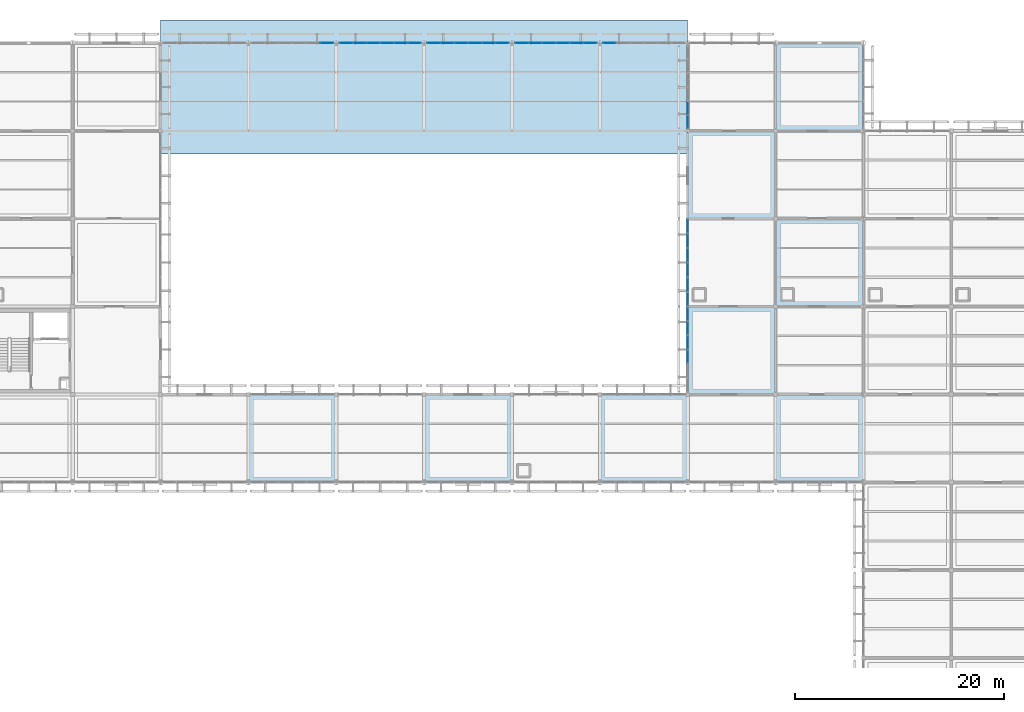
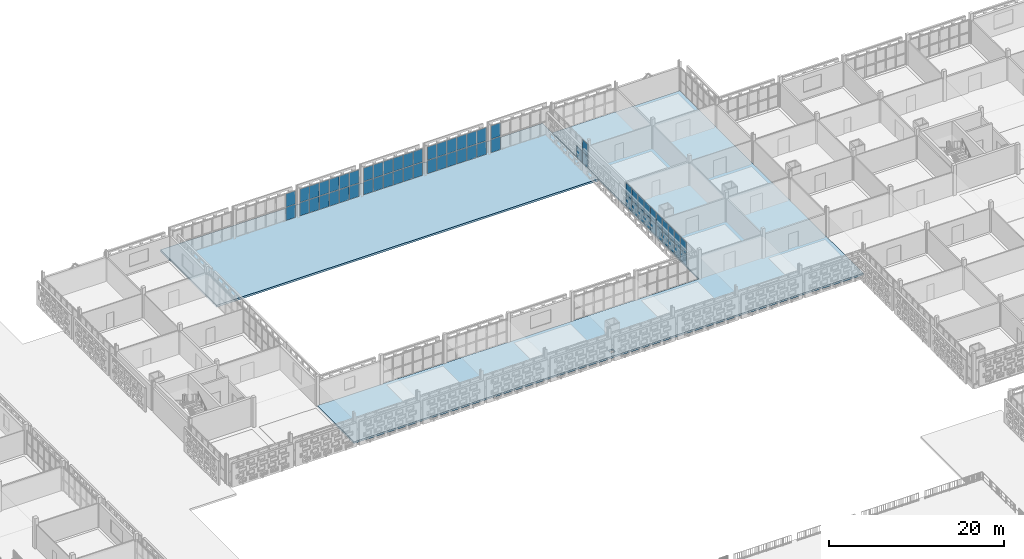
# One storey, part 87 of 166: 63 plates, 2 slabs, 8 elements without a shape of their own.
"""IFC4 building model written with IfcOpenShell, lengths in metres."""

from ifc_helpers import new_model, si_unit, direction, frame, origin, origin_2d, place, context, subcontext, project, spatial, polyline, rectangle, outline, extrude, material, layer, layer_set, type_object, element, aggregate, save


model = new_model("IFC4")

# Units and contexts
model_context = context("Model", 3, precision=1e-05, world=origin(), true_north=direction((0.0, 1.0)))
body_context = subcontext(model_context, "Body", "Model", "MODEL_VIEW")
ifc_project = project(units=[si_unit("LENGTHUNIT", "METRE"), si_unit("AREAUNIT", "SQUARE_METRE"), si_unit("VOLUMEUNIT", "CUBIC_METRE"), si_unit("PLANEANGLEUNIT", "RADIAN"), si_unit("MASSUNIT", "GRAM", prefix="KILO")], contexts=[model_context])

# Site, building, storey
site_placement = place(None, origin())
site = spatial("IfcSite", under=ifc_project, at=site_placement, CompositionType="ELEMENT")
building_placement = place(site_placement, origin())
building = spatial("IfcBuilding", under=site, at=building_placement, Name="Varnapada Polytechnic", CompositionType="ELEMENT")
storey_placement = place(building_placement, frame((0.0, 0.0, 9.60009765625)))
storey = spatial("IfcBuildingStorey", under=building, at=storey_placement, Name="L02", CompositionType="ELEMENT", Elevation=9.60009765625)

# Curtain wall, plates
ifc_material_1 = material(Name="Double low-E laminated glass", Category="glass")
ifc_layer_1 = layer(ifc_material_1, 0.159912109375)
ifc_layer_set_1 = layer_set([ifc_layer_1], Name="Double low-E laminated glass")
curtain_wall_type = type_object("IfcCurtainWallType", Name="Curtain Wall CW-02", PredefinedType="NOTDEFINED", material=ifc_layer_set_1)
curtain_wall_1_placement = place(storey_placement, origin())
curtain_wall_1 = element("IfcCurtainWall", 1, at=curtain_wall_1_placement, inside=storey, type_object=curtain_wall_type, Name="L02 unitised curtain wall CW-02 (176)", PredefinedType="NOTDEFINED")
ifc_layer_2 = layer(ifc_material_1, 0.028076171875)
ifc_layer_set_2 = layer_set([ifc_layer_2], Name="Double low-E laminated glass")
plate_type = type_object("IfcPlateType", Name="Curtain Panel PNL-01", PredefinedType="CURTAIN_PANEL", material=ifc_layer_set_2)
plate_1_placement = place(storey_placement, frame((117.60009765625, 96.0107421875, 0.06005859375), z_axis=(0.0, 0.0, 1.0), x_axis=(0.0, 1.0, 0.0)))
plate_1 = element("IfcPlate", 2, at=plate_1_placement, type_object=plate_type, Name="CW-02 panel 3.1", PredefinedType="CURTAIN_PANEL", context=body_context, shape_type="SweptSolid", body=[
    extrude(rectangle(XDim=1.308349609375, YDim=0.028076171875, at=origin_2d()), origin(), (0.0, 0.0, 1.0), 1.522705078125),
])
plate_2_placement = place(storey_placement, frame((117.60009765625, 96.0107421875, 1.642578125), z_axis=(0.0, 0.0, 1.0), x_axis=(0.0, 1.0, 0.0)))
plate_2 = element("IfcPlate", 3, at=plate_2_placement, type_object=plate_type, Name="CW-02 panel 3.2", PredefinedType="CURTAIN_PANEL", context=body_context, shape_type="SweptSolid", body=[
    extrude(rectangle(XDim=1.308349609375, YDim=0.028076171875, at=origin_2d()), origin(), (0.0, 0.0, 1.0), 1.6572265625),
])
plate_3_placement = place(storey_placement, frame((117.60009765625, 97.379150390625, 0.06005859375), z_axis=(0.0, 0.0, 1.0), x_axis=(0.0, 1.0, 0.0)))
plate_3 = element("IfcPlate", 4, at=plate_3_placement, type_object=plate_type, Name="CW-02 panel 4.1", PredefinedType="CURTAIN_PANEL", context=body_context, shape_type="SweptSolid", body=[
    extrude(rectangle(XDim=1.308349609375, YDim=0.028076171875, at=origin_2d()), origin(), (0.0, 0.0, 1.0), 1.522705078125),
])
plate_4_placement = place(storey_placement, frame((117.60009765625, 97.379150390625, 1.642578125), z_axis=(0.0, 0.0, 1.0), x_axis=(0.0, 1.0, 0.0)))
plate_4 = element("IfcPlate", 5, at=plate_4_placement, type_object=plate_type, Name="CW-02 panel 4.2", PredefinedType="CURTAIN_PANEL", context=body_context, shape_type="SweptSolid", body=[
    extrude(rectangle(XDim=1.308349609375, YDim=0.028076171875, at=origin_2d()), origin(), (0.0, 0.0, 1.0), 1.6572265625),
])
plate_5_placement = place(storey_placement, frame((117.60009765625, 98.74755859375, 0.06005859375), z_axis=(0.0, 0.0, 1.0), x_axis=(0.0, 1.0, 0.0)))
plate_5 = element("IfcPlate", 6, at=plate_5_placement, type_object=plate_type, Name="CW-02 panel 5.1", PredefinedType="CURTAIN_PANEL", context=body_context, shape_type="SweptSolid", body=[
    extrude(rectangle(XDim=1.308349609375, YDim=0.028076171875, at=origin_2d()), origin(), (0.0, 0.0, 1.0), 1.522705078125),
])
plate_6_placement = place(storey_placement, frame((117.60009765625, 98.74755859375, 1.642578125), z_axis=(0.0, 0.0, 1.0), x_axis=(0.0, 1.0, 0.0)))
plate_6 = element("IfcPlate", 7, at=plate_6_placement, type_object=plate_type, Name="CW-02 panel 5.2", PredefinedType="CURTAIN_PANEL", context=body_context, shape_type="SweptSolid", body=[
    extrude(rectangle(XDim=1.308349609375, YDim=0.028076171875, at=origin_2d()), origin(), (0.0, 0.0, 1.0), 1.6572265625),
])
plate_7_placement = place(storey_placement, frame((117.60009765625, 100.100830078125, 0.06005859375), z_axis=(0.0, 0.0, 1.0), x_axis=(0.0, 1.0, 0.0)))
plate_7 = element("IfcPlate", 8, at=plate_7_placement, type_object=plate_type, Name="CW-02 panel 6.1", PredefinedType="CURTAIN_PANEL", context=body_context, shape_type="SweptSolid", body=[
    extrude(rectangle(XDim=1.2783203125, YDim=0.028076171875, at=origin_2d()), origin(), (0.0, 0.0, 1.0), 1.522705078125),
])
plate_8_placement = place(storey_placement, frame((117.60009765625, 100.100830078125, 1.642578125), z_axis=(0.0, 0.0, 1.0), x_axis=(0.0, 1.0, 0.0)))
plate_8 = element("IfcPlate", 9, at=plate_8_placement, type_object=plate_type, Name="CW-02 panel 6.2", PredefinedType="CURTAIN_PANEL", context=body_context, shape_type="SweptSolid", body=[
    extrude(rectangle(XDim=1.2783203125, YDim=0.028076171875, at=origin_2d()), origin(), (0.0, 0.0, 1.0), 1.6572265625),
])
aggregate(curtain_wall_1, [plate_1, plate_2, plate_3, plate_4, plate_5, plate_6, plate_7, plate_8])

curtain_wall_2_placement = place(storey_placement, origin())
curtain_wall_2 = element("IfcCurtainWall", 10, at=curtain_wall_2_placement, inside=storey, type_object=curtain_wall_type, Name="L02 unitised curtain wall CW-02 (177)", PredefinedType="NOTDEFINED")
plate_9_placement = place(storey_placement, frame((117.60009765625, 101.514892578125, 0.06005859375), z_axis=(0.0, 0.0, 1.0), x_axis=(0.0, 1.0, 0.0)))
plate_9 = element("IfcPlate", 11, at=plate_9_placement, type_object=plate_type, Name="CW-02 panel 1.1", PredefinedType="CURTAIN_PANEL", context=body_context, shape_type="SweptSolid", body=[
    extrude(rectangle(XDim=1.31005859375, YDim=0.028076171875, at=origin_2d()), origin(), (0.0, 0.0, 1.0), 1.522705078125),
])
plate_10_placement = place(storey_placement, frame((117.60009765625, 101.514892578125, 1.642578125), z_axis=(0.0, 0.0, 1.0), x_axis=(0.0, 1.0, 0.0)))
plate_10 = element("IfcPlate", 12, at=plate_10_placement, type_object=plate_type, Name="CW-02 panel 1.2", PredefinedType="CURTAIN_PANEL", context=body_context, shape_type="SweptSolid", body=[
    extrude(rectangle(XDim=1.31005859375, YDim=0.028076171875, at=origin_2d()), origin(), (0.0, 0.0, 1.0), 1.6572265625),
])
plate_11_placement = place(storey_placement, frame((117.60009765625, 102.89990234375, 0.06005859375), z_axis=(0.0, 0.0, 1.0), x_axis=(0.0, 1.0, 0.0)))
plate_11 = element("IfcPlate", 13, at=plate_11_placement, type_object=plate_type, Name="CW-02 panel 2.1", PredefinedType="CURTAIN_PANEL", context=body_context, shape_type="SweptSolid", body=[
    extrude(rectangle(XDim=1.340087890625, YDim=0.028076171875, at=origin_2d()), origin(), (0.0, 0.0, 1.0), 1.522705078125),
])
plate_12_placement = place(storey_placement, frame((117.60009765625, 102.89990234375, 1.642578125), z_axis=(0.0, 0.0, 1.0), x_axis=(0.0, 1.0, 0.0)))
plate_12 = element("IfcPlate", 14, at=plate_12_placement, type_object=plate_type, Name="CW-02 panel 2.2", PredefinedType="CURTAIN_PANEL", context=body_context, shape_type="SweptSolid", body=[
    extrude(rectangle(XDim=1.340087890625, YDim=0.028076171875, at=origin_2d()), origin(), (0.0, 0.0, 1.0), 1.6572265625),
])
plate_13_placement = place(storey_placement, frame((117.60009765625, 104.300048828125, 0.06005859375), z_axis=(0.0, 0.0, 1.0), x_axis=(0.0, 1.0, 0.0)))
plate_13 = element("IfcPlate", 15, at=plate_13_placement, type_object=plate_type, Name="CW-02 panel 3.1", PredefinedType="CURTAIN_PANEL", context=body_context, shape_type="SweptSolid", body=[
    extrude(rectangle(XDim=1.340087890625, YDim=0.028076171875, at=origin_2d()), origin(), (0.0, 0.0, 1.0), 1.522705078125),
])
plate_14_placement = place(storey_placement, frame((117.60009765625, 104.300048828125, 1.642578125), z_axis=(0.0, 0.0, 1.0), x_axis=(0.0, 1.0, 0.0)))
plate_14 = element("IfcPlate", 16, at=plate_14_placement, type_object=plate_type, Name="CW-02 panel 3.2", PredefinedType="CURTAIN_PANEL", context=body_context, shape_type="SweptSolid", body=[
    extrude(rectangle(XDim=1.340087890625, YDim=0.028076171875, at=origin_2d()), origin(), (0.0, 0.0, 1.0), 1.6572265625),
])
plate_15_placement = place(storey_placement, frame((117.60009765625, 105.699951171875, 0.06005859375), z_axis=(0.0, 0.0, 1.0), x_axis=(0.0, 1.0, 0.0)))
plate_15 = element("IfcPlate", 17, at=plate_15_placement, type_object=plate_type, Name="CW-02 panel 4.1", PredefinedType="CURTAIN_PANEL", context=body_context, shape_type="SweptSolid", body=[
    extrude(rectangle(XDim=1.340087890625, YDim=0.028076171875, at=origin_2d()), origin(), (0.0, 0.0, 1.0), 1.522705078125),
])
plate_16_placement = place(storey_placement, frame((117.60009765625, 105.699951171875, 1.642578125), z_axis=(0.0, 0.0, 1.0), x_axis=(0.0, 1.0, 0.0)))
plate_16 = element("IfcPlate", 18, at=plate_16_placement, type_object=plate_type, Name="CW-02 panel 4.2", PredefinedType="CURTAIN_PANEL", context=body_context, shape_type="SweptSolid", body=[
    extrude(rectangle(XDim=1.340087890625, YDim=0.028076171875, at=origin_2d()), origin(), (0.0, 0.0, 1.0), 1.6572265625),
])
plate_17_placement = place(storey_placement, frame((117.60009765625, 107.10009765625, 0.06005859375), z_axis=(0.0, 0.0, 1.0), x_axis=(0.0, 1.0, 0.0)))
plate_17 = element("IfcPlate", 19, at=plate_17_placement, type_object=plate_type, Name="CW-02 panel 5.1", PredefinedType="CURTAIN_PANEL", context=body_context, shape_type="SweptSolid", body=[
    extrude(rectangle(XDim=1.340087890625, YDim=0.028076171875, at=origin_2d()), origin(), (0.0, 0.0, 1.0), 1.522705078125),
])
plate_18_placement = place(storey_placement, frame((117.60009765625, 107.10009765625, 1.642578125), z_axis=(0.0, 0.0, 1.0), x_axis=(0.0, 1.0, 0.0)))
plate_18 = element("IfcPlate", 20, at=plate_18_placement, type_object=plate_type, Name="CW-02 panel 5.2", PredefinedType="CURTAIN_PANEL", context=body_context, shape_type="SweptSolid", body=[
    extrude(rectangle(XDim=1.340087890625, YDim=0.028076171875, at=origin_2d()), origin(), (0.0, 0.0, 1.0), 1.6572265625),
])
plate_19_placement = place(storey_placement, frame((117.60009765625, 108.485107421875, 0.06005859375), z_axis=(0.0, 0.0, 1.0), x_axis=(0.0, 1.0, 0.0)))
plate_19 = element("IfcPlate", 21, at=plate_19_placement, type_object=plate_type, Name="CW-02 panel 6.1", PredefinedType="CURTAIN_PANEL", context=body_context, shape_type="SweptSolid", body=[
    extrude(rectangle(XDim=1.31005859375, YDim=0.028076171875, at=origin_2d()), origin(), (0.0, 0.0, 1.0), 1.522705078125),
])
plate_20_placement = place(storey_placement, frame((117.60009765625, 108.485107421875, 1.642578125), z_axis=(0.0, 0.0, 1.0), x_axis=(0.0, 1.0, 0.0)))
plate_20 = element("IfcPlate", 22, at=plate_20_placement, type_object=plate_type, Name="CW-02 panel 6.2", PredefinedType="CURTAIN_PANEL", context=body_context, shape_type="SweptSolid", body=[
    extrude(rectangle(XDim=1.31005859375, YDim=0.028076171875, at=origin_2d()), origin(), (0.0, 0.0, 1.0), 1.6572265625),
])
aggregate(curtain_wall_2, [plate_9, plate_10, plate_11, plate_12, plate_13, plate_14, plate_15, plate_16, plate_17, plate_18, plate_19, plate_20])

curtain_wall_3_placement = place(storey_placement, origin())
curtain_wall_3 = element("IfcCurtainWall", 23, at=curtain_wall_3_placement, inside=storey, type_object=curtain_wall_type, Name="L02 unitised curtain wall CW-02 (179)", PredefinedType="NOTDEFINED")
plate_21_placement = place(storey_placement, frame((117.60009765625, 118.461181640625, 0.06005859375), z_axis=(0.0, 0.0, 1.0), x_axis=(0.0, 1.0, 0.0)))
plate_21 = element("IfcPlate", 24, at=plate_21_placement, type_object=plate_type, Name="CW-02 panel 1.1", PredefinedType="CURTAIN_PANEL", context=body_context, shape_type="SweptSolid", body=[
    extrude(rectangle(XDim=1.242431640625, YDim=0.028076171875, at=origin_2d()), origin(), (0.0, 0.0, 1.0), 1.522705078125),
])
plate_22_placement = place(storey_placement, frame((117.60009765625, 118.461181640625, 1.642578125), z_axis=(0.0, 0.0, 1.0), x_axis=(0.0, 1.0, 0.0)))
plate_22 = element("IfcPlate", 25, at=plate_22_placement, type_object=plate_type, Name="CW-02 panel 1.2", PredefinedType="CURTAIN_PANEL", context=body_context, shape_type="SweptSolid", body=[
    extrude(rectangle(XDim=1.242431640625, YDim=0.028076171875, at=origin_2d()), origin(), (0.0, 0.0, 1.0), 1.6572265625),
])
plate_23_placement = place(storey_placement, frame((117.60009765625, 119.77880859375, 0.06005859375), z_axis=(0.0, 0.0, 1.0), x_axis=(0.0, 1.0, 0.0)))
plate_23 = element("IfcPlate", 26, at=plate_23_placement, type_object=plate_type, Name="CW-02 panel 2.1", PredefinedType="CURTAIN_PANEL", context=body_context, shape_type="SweptSolid", body=[
    extrude(rectangle(XDim=1.2724609375, YDim=0.028076171875, at=origin_2d()), origin(), (0.0, 0.0, 1.0), 1.522705078125),
])
aggregate(curtain_wall_3, [plate_21, plate_22, plate_23])

curtain_wall_4_placement = place(storey_placement, origin())
curtain_wall_4 = element("IfcCurtainWall", 27, at=curtain_wall_4_placement, inside=storey, type_object=curtain_wall_type, Name="L02 high-bay workshop north curtain wall 10", PredefinedType="NOTDEFINED")
plate_24_placement = place(storey_placement, frame((83.07666015625, 126.0, 0.059814453125), z_axis=(0.0, 0.0, 1.0), x_axis=(1.0, 0.0, 0.0)))
plate_24 = element("IfcPlate", 28, at=plate_24_placement, type_object=plate_type, Name="CW-02 panel 6.1", PredefinedType="CURTAIN_PANEL", context=body_context, shape_type="SweptSolid", body=[
    extrude(rectangle(XDim=1.2265625, YDim=0.028076171875, at=origin_2d()), origin(), (0.0, 0.0, 1.0), 1.8349609375),
])
plate_25_placement = place(storey_placement, frame((83.07666015625, 126.0, 1.954833984375), z_axis=(0.0, 0.0, 1.0), x_axis=(1.0, 0.0, 0.0)))
plate_25 = element("IfcPlate", 29, at=plate_25_placement, type_object=plate_type, Name="CW-02 panel 6.2", PredefinedType="CURTAIN_PANEL", context=body_context, shape_type="SweptSolid", body=[
    extrude(rectangle(XDim=1.2265625, YDim=0.028076171875, at=origin_2d()), origin(), (0.0, 0.0, 1.0), 1.8349609375),
])
aggregate(curtain_wall_4, [plate_24, plate_25])

curtain_wall_5_placement = place(storey_placement, origin())
curtain_wall_5 = element("IfcCurtainWall", 30, at=curtain_wall_5_placement, inside=storey, type_object=curtain_wall_type, Name="L02 high-bay workshop north curtain wall 11", PredefinedType="NOTDEFINED")
plate_26_placement = place(storey_placement, frame((84.92333984375, 126.0, 0.059814453125), z_axis=(0.0, 0.0, 1.0), x_axis=(1.0, 0.0, 0.0)))
plate_26 = element("IfcPlate", 31, at=plate_26_placement, type_object=plate_type, Name="CW-02 panel 1.1", PredefinedType="CURTAIN_PANEL", context=body_context, shape_type="SweptSolid", body=[
    extrude(rectangle(XDim=1.2265625, YDim=0.028076171875, at=origin_2d()), origin(), (0.0, 0.0, 1.0), 1.8349609375),
])
plate_27_placement = place(storey_placement, frame((84.92333984375, 126.0, 1.954833984375), z_axis=(0.0, 0.0, 1.0), x_axis=(1.0, 0.0, 0.0)))
plate_27 = element("IfcPlate", 32, at=plate_27_placement, type_object=plate_type, Name="CW-02 panel 1.2", PredefinedType="CURTAIN_PANEL", context=body_context, shape_type="SweptSolid", body=[
    extrude(rectangle(XDim=1.2265625, YDim=0.028076171875, at=origin_2d()), origin(), (0.0, 0.0, 1.0), 1.8349609375),
])
plate_28_placement = place(storey_placement, frame((86.22509765625, 126.0, 0.059814453125), z_axis=(0.0, 0.0, 1.0), x_axis=(1.0, 0.0, 0.0)))
plate_28 = element("IfcPlate", 33, at=plate_28_placement, type_object=plate_type, Name="CW-02 panel 2.1", PredefinedType="CURTAIN_PANEL", context=body_context, shape_type="SweptSolid", body=[
    extrude(rectangle(XDim=1.256591796875, YDim=0.028076171875, at=origin_2d()), origin(), (0.0, 0.0, 1.0), 1.8349609375),
])
plate_29_placement = place(storey_placement, frame((86.22509765625, 126.0, 1.954833984375), z_axis=(0.0, 0.0, 1.0), x_axis=(1.0, 0.0, 0.0)))
plate_29 = element("IfcPlate", 34, at=plate_29_placement, type_object=plate_type, Name="CW-02 panel 2.2", PredefinedType="CURTAIN_PANEL", context=body_context, shape_type="SweptSolid", body=[
    extrude(rectangle(XDim=1.256591796875, YDim=0.028076171875, at=origin_2d()), origin(), (0.0, 0.0, 1.0), 1.8349609375),
])
plate_30_placement = place(storey_placement, frame((87.541748046875, 126.0, 0.059814453125), z_axis=(0.0, 0.0, 1.0), x_axis=(1.0, 0.0, 0.0)))
plate_30 = element("IfcPlate", 35, at=plate_30_placement, type_object=plate_type, Name="CW-02 panel 3.1", PredefinedType="CURTAIN_PANEL", context=body_context, shape_type="SweptSolid", body=[
    extrude(rectangle(XDim=1.256591796875, YDim=0.028076171875, at=origin_2d()), origin(), (0.0, 0.0, 1.0), 1.8349609375),
])
plate_31_placement = place(storey_placement, frame((87.541748046875, 126.0, 1.954833984375), z_axis=(0.0, 0.0, 1.0), x_axis=(1.0, 0.0, 0.0)))
plate_31 = element("IfcPlate", 36, at=plate_31_placement, type_object=plate_type, Name="CW-02 panel 3.2", PredefinedType="CURTAIN_PANEL", context=body_context, shape_type="SweptSolid", body=[
    extrude(rectangle(XDim=1.256591796875, YDim=0.028076171875, at=origin_2d()), origin(), (0.0, 0.0, 1.0), 1.8349609375),
])
plate_32_placement = place(storey_placement, frame((88.8583984375, 126.0, 0.059814453125), z_axis=(0.0, 0.0, 1.0), x_axis=(1.0, 0.0, 0.0)))
plate_32 = element("IfcPlate", 37, at=plate_32_placement, type_object=plate_type, Name="CW-02 panel 4.1", PredefinedType="CURTAIN_PANEL", context=body_context, shape_type="SweptSolid", body=[
    extrude(rectangle(XDim=1.256591796875, YDim=0.028076171875, at=origin_2d()), origin(), (0.0, 0.0, 1.0), 1.8349609375),
])
plate_33_placement = place(storey_placement, frame((88.8583984375, 126.0, 1.954833984375), z_axis=(0.0, 0.0, 1.0), x_axis=(1.0, 0.0, 0.0)))
plate_33 = element("IfcPlate", 38, at=plate_33_placement, type_object=plate_type, Name="CW-02 panel 4.2", PredefinedType="CURTAIN_PANEL", context=body_context, shape_type="SweptSolid", body=[
    extrude(rectangle(XDim=1.256591796875, YDim=0.028076171875, at=origin_2d()), origin(), (0.0, 0.0, 1.0), 1.8349609375),
])
plate_34_placement = place(storey_placement, frame((90.175048828125, 126.0, 0.059814453125), z_axis=(0.0, 0.0, 1.0), x_axis=(1.0, 0.0, 0.0)))
plate_34 = element("IfcPlate", 39, at=plate_34_placement, type_object=plate_type, Name="CW-02 panel 5.1", PredefinedType="CURTAIN_PANEL", context=body_context, shape_type="SweptSolid", body=[
    extrude(rectangle(XDim=1.256591796875, YDim=0.028076171875, at=origin_2d()), origin(), (0.0, 0.0, 1.0), 1.8349609375),
])
plate_35_placement = place(storey_placement, frame((90.175048828125, 126.0, 1.954833984375), z_axis=(0.0, 0.0, 1.0), x_axis=(1.0, 0.0, 0.0)))
plate_35 = element("IfcPlate", 40, at=plate_35_placement, type_object=plate_type, Name="CW-02 panel 5.2", PredefinedType="CURTAIN_PANEL", context=body_context, shape_type="SweptSolid", body=[
    extrude(rectangle(XDim=1.256591796875, YDim=0.028076171875, at=origin_2d()), origin(), (0.0, 0.0, 1.0), 1.8349609375),
])
plate_36_placement = place(storey_placement, frame((91.4765625, 126.0, 0.059814453125), z_axis=(0.0, 0.0, 1.0), x_axis=(1.0, 0.0, 0.0)))
plate_36 = element("IfcPlate", 41, at=plate_36_placement, type_object=plate_type, Name="CW-02 panel 6.1", PredefinedType="CURTAIN_PANEL", context=body_context, shape_type="SweptSolid", body=[
    extrude(rectangle(XDim=1.2265625, YDim=0.028076171875, at=origin_2d()), origin(), (0.0, 0.0, 1.0), 1.8349609375),
])
plate_37_placement = place(storey_placement, frame((91.4765625, 126.0, 1.954833984375), z_axis=(0.0, 0.0, 1.0), x_axis=(1.0, 0.0, 0.0)))
plate_37 = element("IfcPlate", 42, at=plate_37_placement, type_object=plate_type, Name="CW-02 panel 6.2", PredefinedType="CURTAIN_PANEL", context=body_context, shape_type="SweptSolid", body=[
    extrude(rectangle(XDim=1.2265625, YDim=0.028076171875, at=origin_2d()), origin(), (0.0, 0.0, 1.0), 1.8349609375),
])
aggregate(curtain_wall_5, [plate_26, plate_27, plate_28, plate_29, plate_30, plate_31, plate_32, plate_33, plate_34, plate_35, plate_36, plate_37])

curtain_wall_6_placement = place(storey_placement, origin())
curtain_wall_6 = element("IfcCurtainWall", 43, at=curtain_wall_6_placement, inside=storey, type_object=curtain_wall_type, Name="L02 high-bay workshop north curtain wall 12", PredefinedType="NOTDEFINED")
plate_38_placement = place(storey_placement, frame((93.3232421875, 126.0, 0.059814453125), z_axis=(0.0, 0.0, 1.0), x_axis=(1.0, 0.0, 0.0)))
plate_38 = element("IfcPlate", 44, at=plate_38_placement, type_object=plate_type, Name="CW-02 panel 1.1", PredefinedType="CURTAIN_PANEL", context=body_context, shape_type="SweptSolid", body=[
    extrude(rectangle(XDim=1.2265625, YDim=0.028076171875, at=origin_2d()), origin(), (0.0, 0.0, 1.0), 1.8349609375),
])
plate_39_placement = place(storey_placement, frame((93.3232421875, 126.0, 1.954833984375), z_axis=(0.0, 0.0, 1.0), x_axis=(1.0, 0.0, 0.0)))
plate_39 = element("IfcPlate", 45, at=plate_39_placement, type_object=plate_type, Name="CW-02 panel 1.2", PredefinedType="CURTAIN_PANEL", context=body_context, shape_type="SweptSolid", body=[
    extrude(rectangle(XDim=1.2265625, YDim=0.028076171875, at=origin_2d()), origin(), (0.0, 0.0, 1.0), 1.8349609375),
])
plate_40_placement = place(storey_placement, frame((94.625, 126.0, 0.059814453125), z_axis=(0.0, 0.0, 1.0), x_axis=(1.0, 0.0, 0.0)))
plate_40 = element("IfcPlate", 46, at=plate_40_placement, type_object=plate_type, Name="CW-02 panel 2.1", PredefinedType="CURTAIN_PANEL", context=body_context, shape_type="SweptSolid", body=[
    extrude(rectangle(XDim=1.256591796875, YDim=0.028076171875, at=origin_2d()), origin(), (0.0, 0.0, 1.0), 1.8349609375),
])
plate_41_placement = place(storey_placement, frame((94.625, 126.0, 1.954833984375), z_axis=(0.0, 0.0, 1.0), x_axis=(1.0, 0.0, 0.0)))
plate_41 = element("IfcPlate", 47, at=plate_41_placement, type_object=plate_type, Name="CW-02 panel 2.2", PredefinedType="CURTAIN_PANEL", context=body_context, shape_type="SweptSolid", body=[
    extrude(rectangle(XDim=1.256591796875, YDim=0.028076171875, at=origin_2d()), origin(), (0.0, 0.0, 1.0), 1.8349609375),
])
plate_42_placement = place(storey_placement, frame((95.941650390625, 126.0, 0.059814453125), z_axis=(0.0, 0.0, 1.0), x_axis=(1.0, 0.0, 0.0)))
plate_42 = element("IfcPlate", 48, at=plate_42_placement, type_object=plate_type, Name="CW-02 panel 3.1", PredefinedType="CURTAIN_PANEL", context=body_context, shape_type="SweptSolid", body=[
    extrude(rectangle(XDim=1.256591796875, YDim=0.028076171875, at=origin_2d()), origin(), (0.0, 0.0, 1.0), 1.8349609375),
])
plate_43_placement = place(storey_placement, frame((95.941650390625, 126.0, 1.954833984375), z_axis=(0.0, 0.0, 1.0), x_axis=(1.0, 0.0, 0.0)))
plate_43 = element("IfcPlate", 49, at=plate_43_placement, type_object=plate_type, Name="CW-02 panel 3.2", PredefinedType="CURTAIN_PANEL", context=body_context, shape_type="SweptSolid", body=[
    extrude(rectangle(XDim=1.256591796875, YDim=0.028076171875, at=origin_2d()), origin(), (0.0, 0.0, 1.0), 1.8349609375),
])
plate_44_placement = place(storey_placement, frame((97.25830078125, 126.0, 0.059814453125), z_axis=(0.0, 0.0, 1.0), x_axis=(1.0, 0.0, 0.0)))
plate_44 = element("IfcPlate", 50, at=plate_44_placement, type_object=plate_type, Name="CW-02 panel 4.1", PredefinedType="CURTAIN_PANEL", context=body_context, shape_type="SweptSolid", body=[
    extrude(rectangle(XDim=1.256591796875, YDim=0.028076171875, at=origin_2d()), origin(), (0.0, 0.0, 1.0), 1.8349609375),
])
plate_45_placement = place(storey_placement, frame((97.25830078125, 126.0, 1.954833984375), z_axis=(0.0, 0.0, 1.0), x_axis=(1.0, 0.0, 0.0)))
plate_45 = element("IfcPlate", 51, at=plate_45_placement, type_object=plate_type, Name="CW-02 panel 4.2", PredefinedType="CURTAIN_PANEL", context=body_context, shape_type="SweptSolid", body=[
    extrude(rectangle(XDim=1.256591796875, YDim=0.028076171875, at=origin_2d()), origin(), (0.0, 0.0, 1.0), 1.8349609375),
])
plate_46_placement = place(storey_placement, frame((98.574951171875, 126.0, 0.059814453125), z_axis=(0.0, 0.0, 1.0), x_axis=(1.0, 0.0, 0.0)))
plate_46 = element("IfcPlate", 52, at=plate_46_placement, type_object=plate_type, Name="CW-02 panel 5.1", PredefinedType="CURTAIN_PANEL", context=body_context, shape_type="SweptSolid", body=[
    extrude(rectangle(XDim=1.256591796875, YDim=0.028076171875, at=origin_2d()), origin(), (0.0, 0.0, 1.0), 1.8349609375),
])
plate_47_placement = place(storey_placement, frame((98.574951171875, 126.0, 1.954833984375), z_axis=(0.0, 0.0, 1.0), x_axis=(1.0, 0.0, 0.0)))
plate_47 = element("IfcPlate", 53, at=plate_47_placement, type_object=plate_type, Name="CW-02 panel 5.2", PredefinedType="CURTAIN_PANEL", context=body_context, shape_type="SweptSolid", body=[
    extrude(rectangle(XDim=1.256591796875, YDim=0.028076171875, at=origin_2d()), origin(), (0.0, 0.0, 1.0), 1.8349609375),
])
plate_48_placement = place(storey_placement, frame((99.876708984375, 126.0, 0.059814453125), z_axis=(0.0, 0.0, 1.0), x_axis=(1.0, 0.0, 0.0)))
plate_48 = element("IfcPlate", 54, at=plate_48_placement, type_object=plate_type, Name="CW-02 panel 6.1", PredefinedType="CURTAIN_PANEL", context=body_context, shape_type="SweptSolid", body=[
    extrude(rectangle(XDim=1.2265625, YDim=0.028076171875, at=origin_2d()), origin(), (0.0, 0.0, 1.0), 1.8349609375),
])
plate_49_placement = place(storey_placement, frame((99.876708984375, 126.0, 1.954833984375), z_axis=(0.0, 0.0, 1.0), x_axis=(1.0, 0.0, 0.0)))
plate_49 = element("IfcPlate", 55, at=plate_49_placement, type_object=plate_type, Name="CW-02 panel 6.2", PredefinedType="CURTAIN_PANEL", context=body_context, shape_type="SweptSolid", body=[
    extrude(rectangle(XDim=1.2265625, YDim=0.028076171875, at=origin_2d()), origin(), (0.0, 0.0, 1.0), 1.8349609375),
])
aggregate(curtain_wall_6, [plate_38, plate_39, plate_40, plate_41, plate_42, plate_43, plate_44, plate_45, plate_46, plate_47, plate_48, plate_49])

curtain_wall_7_placement = place(storey_placement, origin())
curtain_wall_7 = element("IfcCurtainWall", 56, at=curtain_wall_7_placement, inside=storey, type_object=curtain_wall_type, Name="L02 high-bay workshop north curtain wall 13", PredefinedType="NOTDEFINED")
plate_50_placement = place(storey_placement, frame((101.723388671875, 126.0, 0.059814453125), z_axis=(0.0, 0.0, 1.0), x_axis=(1.0, 0.0, 0.0)))
plate_50 = element("IfcPlate", 57, at=plate_50_placement, type_object=plate_type, Name="CW-02 panel 1.1", PredefinedType="CURTAIN_PANEL", context=body_context, shape_type="SweptSolid", body=[
    extrude(rectangle(XDim=1.2265625, YDim=0.028076171875, at=origin_2d()), origin(), (0.0, 0.0, 1.0), 1.8349609375),
])
plate_51_placement = place(storey_placement, frame((101.723388671875, 126.0, 1.954833984375), z_axis=(0.0, 0.0, 1.0), x_axis=(1.0, 0.0, 0.0)))
plate_51 = element("IfcPlate", 58, at=plate_51_placement, type_object=plate_type, Name="CW-02 panel 1.2", PredefinedType="CURTAIN_PANEL", context=body_context, shape_type="SweptSolid", body=[
    extrude(rectangle(XDim=1.2265625, YDim=0.028076171875, at=origin_2d()), origin(), (0.0, 0.0, 1.0), 1.8349609375),
])
plate_52_placement = place(storey_placement, frame((103.02490234375, 126.0, 0.059814453125), z_axis=(0.0, 0.0, 1.0), x_axis=(1.0, 0.0, 0.0)))
plate_52 = element("IfcPlate", 59, at=plate_52_placement, type_object=plate_type, Name="CW-02 panel 2.1", PredefinedType="CURTAIN_PANEL", context=body_context, shape_type="SweptSolid", body=[
    extrude(rectangle(XDim=1.256591796875, YDim=0.028076171875, at=origin_2d()), origin(), (0.0, 0.0, 1.0), 1.8349609375),
])
plate_53_placement = place(storey_placement, frame((103.02490234375, 126.0, 1.954833984375), z_axis=(0.0, 0.0, 1.0), x_axis=(1.0, 0.0, 0.0)))
plate_53 = element("IfcPlate", 60, at=plate_53_placement, type_object=plate_type, Name="CW-02 panel 2.2", PredefinedType="CURTAIN_PANEL", context=body_context, shape_type="SweptSolid", body=[
    extrude(rectangle(XDim=1.256591796875, YDim=0.028076171875, at=origin_2d()), origin(), (0.0, 0.0, 1.0), 1.8349609375),
])
plate_54_placement = place(storey_placement, frame((104.341552734375, 126.0, 0.059814453125), z_axis=(0.0, 0.0, 1.0), x_axis=(1.0, 0.0, 0.0)))
plate_54 = element("IfcPlate", 61, at=plate_54_placement, type_object=plate_type, Name="CW-02 panel 3.1", PredefinedType="CURTAIN_PANEL", context=body_context, shape_type="SweptSolid", body=[
    extrude(rectangle(XDim=1.256591796875, YDim=0.028076171875, at=origin_2d()), origin(), (0.0, 0.0, 1.0), 1.8349609375),
])
plate_55_placement = place(storey_placement, frame((104.341552734375, 126.0, 1.954833984375), z_axis=(0.0, 0.0, 1.0), x_axis=(1.0, 0.0, 0.0)))
plate_55 = element("IfcPlate", 62, at=plate_55_placement, type_object=plate_type, Name="CW-02 panel 3.2", PredefinedType="CURTAIN_PANEL", context=body_context, shape_type="SweptSolid", body=[
    extrude(rectangle(XDim=1.256591796875, YDim=0.028076171875, at=origin_2d()), origin(), (0.0, 0.0, 1.0), 1.8349609375),
])
plate_56_placement = place(storey_placement, frame((105.658447265625, 126.0, 0.059814453125), z_axis=(0.0, 0.0, 1.0), x_axis=(1.0, 0.0, 0.0)))
plate_56 = element("IfcPlate", 63, at=plate_56_placement, type_object=plate_type, Name="CW-02 panel 4.1", PredefinedType="CURTAIN_PANEL", context=body_context, shape_type="SweptSolid", body=[
    extrude(rectangle(XDim=1.256591796875, YDim=0.028076171875, at=origin_2d()), origin(), (0.0, 0.0, 1.0), 1.8349609375),
])
plate_57_placement = place(storey_placement, frame((105.658447265625, 126.0, 1.954833984375), z_axis=(0.0, 0.0, 1.0), x_axis=(1.0, 0.0, 0.0)))
plate_57 = element("IfcPlate", 64, at=plate_57_placement, type_object=plate_type, Name="CW-02 panel 4.2", PredefinedType="CURTAIN_PANEL", context=body_context, shape_type="SweptSolid", body=[
    extrude(rectangle(XDim=1.256591796875, YDim=0.028076171875, at=origin_2d()), origin(), (0.0, 0.0, 1.0), 1.8349609375),
])
plate_58_placement = place(storey_placement, frame((106.97509765625, 126.0, 0.059814453125), z_axis=(0.0, 0.0, 1.0), x_axis=(1.0, 0.0, 0.0)))
plate_58 = element("IfcPlate", 65, at=plate_58_placement, type_object=plate_type, Name="CW-02 panel 5.1", PredefinedType="CURTAIN_PANEL", context=body_context, shape_type="SweptSolid", body=[
    extrude(rectangle(XDim=1.256591796875, YDim=0.028076171875, at=origin_2d()), origin(), (0.0, 0.0, 1.0), 1.8349609375),
])
plate_59_placement = place(storey_placement, frame((106.97509765625, 126.0, 1.954833984375), z_axis=(0.0, 0.0, 1.0), x_axis=(1.0, 0.0, 0.0)))
plate_59 = element("IfcPlate", 66, at=plate_59_placement, type_object=plate_type, Name="CW-02 panel 5.2", PredefinedType="CURTAIN_PANEL", context=body_context, shape_type="SweptSolid", body=[
    extrude(rectangle(XDim=1.256591796875, YDim=0.028076171875, at=origin_2d()), origin(), (0.0, 0.0, 1.0), 1.8349609375),
])
plate_60_placement = place(storey_placement, frame((108.276611328125, 126.0, 0.059814453125), z_axis=(0.0, 0.0, 1.0), x_axis=(1.0, 0.0, 0.0)))
plate_60 = element("IfcPlate", 67, at=plate_60_placement, type_object=plate_type, Name="CW-02 panel 6.1", PredefinedType="CURTAIN_PANEL", context=body_context, shape_type="SweptSolid", body=[
    extrude(rectangle(XDim=1.2265625, YDim=0.028076171875, at=origin_2d()), origin(), (0.0, 0.0, 1.0), 1.8349609375),
])
plate_61_placement = place(storey_placement, frame((108.276611328125, 126.0, 1.954833984375), z_axis=(0.0, 0.0, 1.0), x_axis=(1.0, 0.0, 0.0)))
plate_61 = element("IfcPlate", 68, at=plate_61_placement, type_object=plate_type, Name="CW-02 panel 6.2", PredefinedType="CURTAIN_PANEL", context=body_context, shape_type="SweptSolid", body=[
    extrude(rectangle(XDim=1.2265625, YDim=0.028076171875, at=origin_2d()), origin(), (0.0, 0.0, 1.0), 1.8349609375),
])
aggregate(curtain_wall_7, [plate_50, plate_51, plate_52, plate_53, plate_54, plate_55, plate_56, plate_57, plate_58, plate_59, plate_60, plate_61])

curtain_wall_8_placement = place(storey_placement, origin())
curtain_wall_8 = element("IfcCurtainWall", 69, at=curtain_wall_8_placement, inside=storey, type_object=curtain_wall_type, Name="L02 high-bay workshop north curtain wall 14", PredefinedType="NOTDEFINED")
plate_62_placement = place(storey_placement, frame((110.123291015625, 126.0, 0.059814453125), z_axis=(0.0, 0.0, 1.0), x_axis=(1.0, 0.0, 0.0)))
plate_62 = element("IfcPlate", 70, at=plate_62_placement, type_object=plate_type, Name="CW-02 panel 1.1", PredefinedType="CURTAIN_PANEL", context=body_context, shape_type="SweptSolid", body=[
    extrude(rectangle(XDim=1.2265625, YDim=0.028076171875, at=origin_2d()), origin(), (0.0, 0.0, 1.0), 1.8349609375),
])
plate_63_placement = place(storey_placement, frame((110.123291015625, 126.0, 1.954833984375), z_axis=(0.0, 0.0, 1.0), x_axis=(1.0, 0.0, 0.0)))
plate_63 = element("IfcPlate", 71, at=plate_63_placement, type_object=plate_type, Name="CW-02 panel 1.2", PredefinedType="CURTAIN_PANEL", context=body_context, shape_type="SweptSolid", body=[
    extrude(rectangle(XDim=1.2265625, YDim=0.028076171875, at=origin_2d()), origin(), (0.0, 0.0, 1.0), 1.8349609375),
])
aggregate(curtain_wall_8, [plate_62, plate_63])

# Slabs
ifc_material_2 = material(Name="Cross-laminated timber CLT C24", Category="wood")
ifc_layer_3 = layer(ifc_material_2, 0.239990234375)
ifc_layer_set_3 = layer_set([ifc_layer_3], Name="Cross-laminated timber CLT C24")
slab_type_1 = type_object("IfcSlabType", Name="L02/L03 laboratory CLT composite slab SL-06", PredefinedType="FLOOR", material=ifc_layer_set_3)
slab_1_placement = place(storey_placement, frame((0.0, 0.0, -0.239990234375)))
element("IfcSlab", 72, at=slab_1_placement, inside=storey, type_object=slab_type_1, Name="L02 V1 slab 2.1", PredefinedType="FLOOR", context=body_context, shape_type="SweptSolid", body=[
    extrude(outline(polyline([(84.0, 92.39990234375), (92.39990234375, 92.39990234375), (100.800048828125, 92.39990234375), (109.199951171875, 92.39990234375), (117.60009765625, 92.39990234375), (117.60009765625, 100.800048828125), (117.60009765625, 109.199951171875), (117.60009765625, 117.60009765625), (117.60009765625, 126.0), (126.0, 126.0), (134.39990234375, 126.0), (134.39990234375, 117.60009765625), (134.39990234375, 109.199951171875), (134.39990234375, 100.800048828125), (134.39990234375, 92.39990234375), (134.39990234375, 84.0), (126.0, 84.0), (117.60009765625, 84.0), (109.199951171875, 84.0), (100.800048828125, 84.0), (92.39990234375, 84.0), (84.0, 84.0), (75.60009765625, 84.0), (67.199951171875, 84.0), (67.199951171875, 92.39990234375), (75.60009765625, 92.39990234375), (84.0, 92.39990234375)]), holes=[polyline([(101.449951171875, 84.64990234375), (102.050048828125, 84.64990234375), (102.050048828125, 85.25), (101.449951171875, 85.25), (101.449951171875, 84.64990234375)]), polyline([(118.25, 101.449951171875), (118.85009765625, 101.449951171875), (118.85009765625, 102.050048828125), (118.25, 102.050048828125), (118.25, 101.449951171875)])]), origin(), (0.0, 0.0, 1.0), 0.239990234375),
])
ifc_material_3 = material(Name="Concrete C40/50", Category="concrete")
ifc_layer_4 = layer(ifc_material_3, 0.27001953125)
ifc_layer_set_4 = layer_set([ifc_layer_4], Name="Concrete C40/50")
slab_type_2 = type_object("IfcSlabType", Name="Overhanging tropical eave roof slab RS-07", PredefinedType="ROOF", material=ifc_layer_set_4)
slab_2_placement = place(storey_placement, frame((0.0, 0.0, -0.27001953125)))
element("IfcSlab", 73, at=slab_2_placement, inside=storey, type_object=slab_type_2, Name="L02 overhanging eave roof slab 3", PredefinedType="ROOF", context=body_context, shape_type="SweptSolid", body=[
    extrude(outline(polyline([(67.199951171875, 128.199951171875), (117.60009765625, 128.199951171875), (117.60009765625, 126.02001953125), (117.580078125, 126.0), (117.580078125, 115.39990234375), (67.219970703125, 115.39990234375), (67.219970703125, 126.0), (67.199951171875, 126.02001953125), (67.199951171875, 128.199951171875)])), origin(), (0.0, 0.0, 1.0), 0.27001953125),
])

save(model, "model.ifc")
